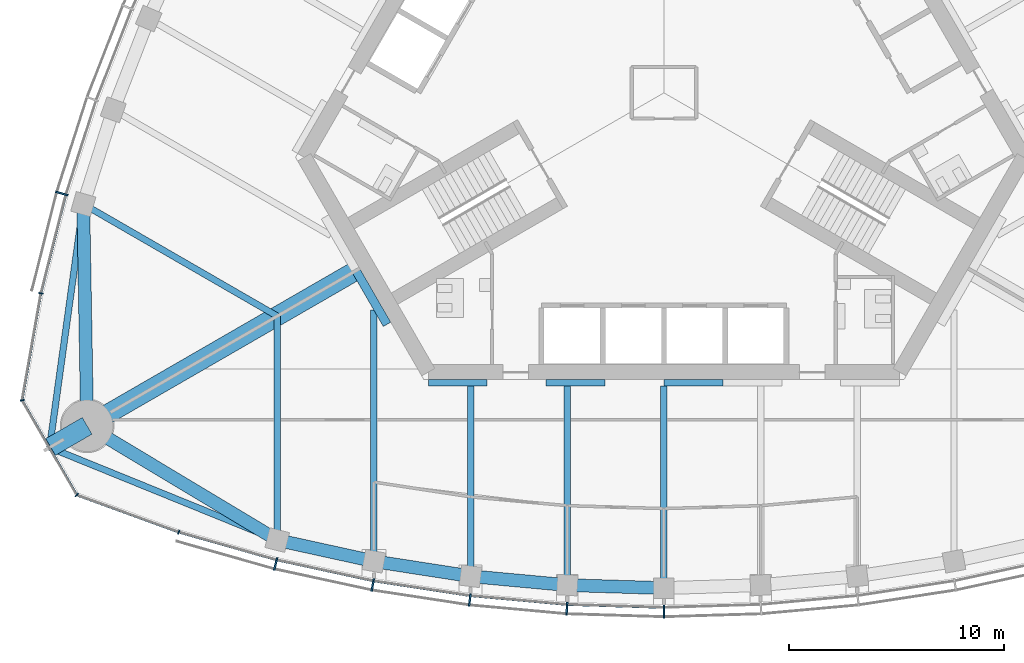
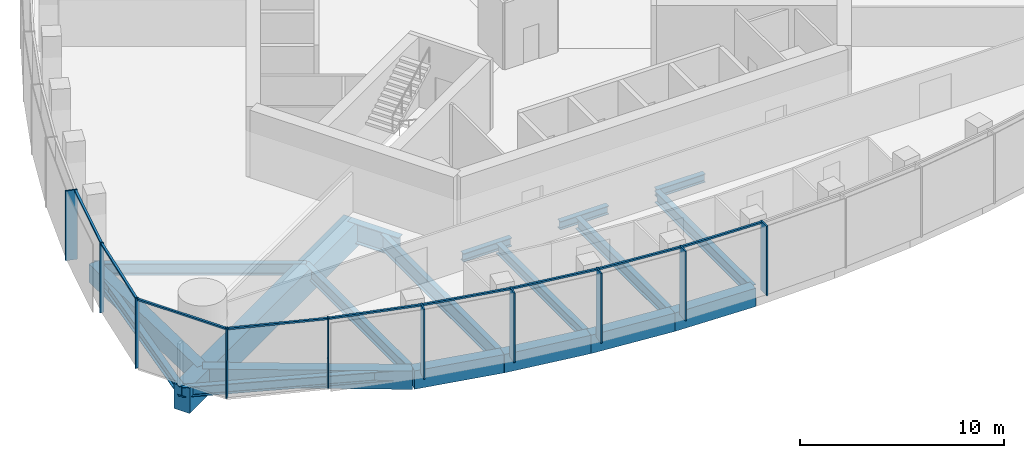
# One storey, part 2 of 16: 20 beams, 19 members, 3 elements without a shape of their own.
"""IFC4 building model written with IfcOpenShell, lengths in metres."""

from ifc_helpers import new_model, si_unit, direction, frame, origin, origin_2d, place, context, subcontext, project, spatial, rectangle, i_section, extrude, material, material_profile, profile_set, type_object, element, aggregate, save


model = new_model("IFC4")

# Units and contexts
model_context = context("Model", 3, precision=1e-05, world=origin(), true_north=direction((0.0, 1.0)))
body_context = subcontext(model_context, "Body", "Model", "MODEL_VIEW")
ifc_project = project(units=[si_unit("LENGTHUNIT", "METRE"), si_unit("AREAUNIT", "SQUARE_METRE"), si_unit("VOLUMEUNIT", "CUBIC_METRE"), si_unit("PLANEANGLEUNIT", "RADIAN"), si_unit("MASSUNIT", "GRAM", prefix="KILO")], contexts=[model_context])

# Site, building, storey
site_placement = place(None, origin())
site = spatial("IfcSite", under=ifc_project, at=site_placement, CompositionType="ELEMENT")
building_placement = place(site_placement, origin())
building = spatial("IfcBuilding", under=site, at=building_placement, Name="Trefoil Bronze Tower", CompositionType="ELEMENT")
storey_placement = place(building_placement, frame((0.0, 0.0, 293.10009765625)))
storey = spatial("IfcBuildingStorey", under=building, at=storey_placement, Name="L67", CompositionType="ELEMENT", Elevation=293.10009765625)

# Curtain wall, members
ifc_material_1 = material(Name="Tinted solar-control glass", Category="glass")
curtain_wall_type_1 = type_object("IfcCurtainWallType", Name="Bronze office curtain wall", PredefinedType="USERDEFINED", material=ifc_material_1)
curtain_wall_1_placement = place(storey_placement, origin())
curtain_wall_1 = element("IfcCurtainWall", 1, at=curtain_wall_1_placement, inside=storey, type_object=curtain_wall_type_1, Name="CW-A L67 F1", ObjectType="CURTAIN WALL", PredefinedType="USERDEFINED")
ifc_material_2 = material(Name="Bronze-finish aluminium", Category="aluminium")
ifc_material_profile_1 = material_profile(ifc_material_2, rectangle(XDim=0.60009765625, YDim=0.080078125, at=origin_2d()), Name="CW-A mullion")
ifc_profile_set_1 = profile_set([ifc_material_profile_1], Name="Bronze-finish aluminium")
member_type_1 = type_object("IfcMemberType", Name="Bronze office curtain wall mullion", PredefinedType="MULLION", material=ifc_profile_set_1)
member_1_placement = place(storey_placement, frame((-18.07275390625, -21.931884765625, 0.0), z_axis=(0.0, 0.0, 1.0), x_axis=(0.242394494031, 0.97017777199, 0.0)))
member_1 = element("IfcMember", 2, at=member_1_placement, type_object=member_type_1, Name="CW-A L67 F1 mullion 2", PredefinedType="MULLION", context=body_context, shape_type="SweptSolid", body=[
    extrude(rectangle(XDim=0.60009765625, YDim=0.080078125, at=origin_2d()), origin(), (0.0, 0.0, 1.0), 4.179931640625),
])
member_2_placement = place(storey_placement, frame((-13.554443359375, -22.911376953125, 0.0), z_axis=(0.0, 0.0, 1.0), x_axis=(0.181667218242, 0.983360067227, 0.0)))
member_2 = element("IfcMember", 3, at=member_2_placement, type_object=member_type_1, Name="CW-A L67 F1 mullion 3", PredefinedType="MULLION", context=body_context, shape_type="SweptSolid", body=[
    extrude(rectangle(XDim=0.60009765625, YDim=0.080078125, at=origin_2d()), origin(), (0.0, 0.0, 1.0), 4.179931640625),
])
member_3_placement = place(storey_placement, frame((-9.036376953125, -23.602783203125, 0.0), z_axis=(0.0, 0.0, 1.0), x_axis=(0.121109330868, 0.992639174109, 0.0)))
member_3 = element("IfcMember", 4, at=member_3_placement, type_object=member_type_1, Name="CW-A L67 F1 mullion 4", PredefinedType="MULLION", context=body_context, shape_type="SweptSolid", body=[
    extrude(rectangle(XDim=0.60009765625, YDim=0.080078125, at=origin_2d()), origin(), (0.0, 0.0, 1.0), 4.179931640625),
])
member_4_placement = place(storey_placement, frame((-4.51806640625, -24.014892578125, 0.0), z_axis=(0.0, 0.0, 1.0), x_axis=(0.060554040199, 0.998164920349, 0.0)))
member_4 = element("IfcMember", 5, at=member_4_placement, type_object=member_type_1, Name="CW-A L67 F1 mullion 5", PredefinedType="MULLION", context=body_context, shape_type="SweptSolid", body=[
    extrude(rectangle(XDim=0.60009765625, YDim=0.080078125, at=origin_2d()), origin(), (0.0, 0.0, 1.0), 4.179931640625),
])
member_5_placement = place(storey_placement, frame((0.0, -24.151611328125, 0.0), z_axis=(0.0, 0.0, 1.0), x_axis=(0.0, 1.0, 0.0)))
member_5 = element("IfcMember", 6, at=member_5_placement, type_object=member_type_1, Name="CW-A L67 F1 mullion 6", PredefinedType="MULLION", context=body_context, shape_type="SweptSolid", body=[
    extrude(rectangle(XDim=0.60009765625, YDim=0.080078125, at=origin_2d()), origin(), (0.0, 0.0, 1.0), 4.179931640625),
])

# Curtain wall, member
curtain_wall_2_placement = place(storey_placement, origin())
curtain_wall_2 = element("IfcCurtainWall", 7, at=curtain_wall_2_placement, inside=storey, type_object=curtain_wall_type_1, Name="CW-A L67 F3", ObjectType="CURTAIN WALL", PredefinedType="USERDEFINED")
member_6_placement = place(storey_placement, frame((-28.02978515625, -4.685546875, 0.0), z_axis=(0.0, 0.0, 1.0), x_axis=(0.961395843746, -0.275169096426, 0.0)))
member_6 = element("IfcMember", 8, at=member_6_placement, type_object=member_type_1, Name="CW-A L67 F3 mullion 10", PredefinedType="MULLION", context=body_context, shape_type="SweptSolid", body=[
    extrude(rectangle(XDim=0.60009765625, YDim=0.080078125, at=origin_2d()), origin(), (0.0, 0.0, 1.0), 4.179931640625),
])

# Member
ifc_material_3 = material(Name="Bronze-finish aluminium", Category="aluminium")
ifc_material_profile_2 = material_profile(ifc_material_3, rectangle(XDim=0.1201171875, YDim=0.10009765625, at=origin_2d()), Name="CW-A transom")
ifc_profile_set_2 = profile_set([ifc_material_profile_2], Name="Bronze-finish aluminium")
member_type_2 = type_object("IfcMemberType", Name="Bronze office curtain wall transom", PredefinedType="USERDEFINED", material=ifc_profile_set_2)
member_7_placement = place(storey_placement, frame((-22.537109375, -20.458740234375, 4.1298828125), z_axis=(0.962102611578, -0.272687668944, 0.0), x_axis=(0.272687668944, 0.962102611578, 0.0)))
member_7 = element("IfcMember", 9, at=member_7_placement, type_object=member_type_2, Name="CW-A L67 F1 transom 1", ObjectType="TRANSOM", PredefinedType="USERDEFINED", context=body_context, shape_type="SweptSolid", body=[
    extrude(rectangle(XDim=0.1201171875, YDim=0.10009765625, at=origin_2d()), origin(), (0.0, 0.0, 1.0), 4.6474609375),
])

member_8_placement = place(storey_placement, frame((-17.982177734375, -21.7470703125, 4.1298828125), z_axis=(0.977303780028, -0.211842681117, 0.0), x_axis=(0.211842681117, 0.977303780028, 0.0)))
member_8 = element("IfcMember", 10, at=member_8_placement, type_object=member_type_2, Name="CW-A L67 F1 transom 2", ObjectType="TRANSOM", PredefinedType="USERDEFINED", context=body_context, shape_type="SweptSolid", body=[
    extrude(rectangle(XDim=0.1201171875, YDim=0.10009765625, at=origin_2d()), origin(), (0.0, 0.0, 1.0), 4.524658203125),
])

member_9_placement = place(storey_placement, frame((-13.4755859375, -22.72119140625, 4.1298828125), z_axis=(0.988485016014, -0.151318779787, 0.0), x_axis=(0.151318779787, 0.988485016014, 0.0)))
member_9 = element("IfcMember", 11, at=member_9_placement, type_object=member_type_2, Name="CW-A L67 F1 transom 3", ObjectType="TRANSOM", PredefinedType="USERDEFINED", context=body_context, shape_type="SweptSolid", body=[
    extrude(rectangle(XDim=0.1201171875, YDim=0.10009765625, at=origin_2d()), origin(), (0.0, 0.0, 1.0), 4.472412109375),
])

member_10_placement = place(storey_placement, frame((-8.96923828125, -23.408203125, 4.1298828125), z_axis=(0.995868373079, -0.090808499059, 0.0), x_axis=(0.090808499059, 0.995868373079, 0.0)))
member_10 = element("IfcMember", 12, at=member_10_placement, type_object=member_type_2, Name="CW-A L67 F1 transom 4", ObjectType="TRANSOM", PredefinedType="USERDEFINED", context=body_context, shape_type="SweptSolid", body=[
    extrude(rectangle(XDim=0.1201171875, YDim=0.10009765625, at=origin_2d()), origin(), (0.0, 0.0, 1.0), 4.438720703125),
])

member_11_placement = place(storey_placement, frame((-4.463134765625, -23.81640625, 4.1298828125), z_axis=(0.99954057115, -0.030309183848, 0.0), x_axis=(0.030309183848, 0.99954057115, 0.0)))
member_11 = element("IfcMember", 13, at=member_11_placement, type_object=member_type_2, Name="CW-A L67 F1 transom 5", ObjectType="TRANSOM", PredefinedType="USERDEFINED", context=body_context, shape_type="SweptSolid", body=[
    extrude(rectangle(XDim=0.1201171875, YDim=0.10009765625, at=origin_2d()), origin(), (0.0, 0.0, 1.0), 4.422119140625),
])

aggregate(curtain_wall_1, [member_1, member_2, member_3, member_4, member_5, member_7, member_8, member_9, member_10, member_11])

member_12_placement = place(storey_placement, frame((-27.84814453125, -4.782470703125, 4.1298828125), z_axis=(-0.244908148095, -0.969546285123, 0.0), x_axis=(0.969546285123, -0.244908148095, 0.0)))
member_12 = element("IfcMember", 14, at=member_12_placement, type_object=member_type_2, Name="CW-A L67 F3 transom 10", ObjectType="TRANSOM", PredefinedType="USERDEFINED", context=body_context, shape_type="SweptSolid", body=[
    extrude(rectangle(XDim=0.1201171875, YDim=0.10009765625, at=origin_2d()), origin(), (0.0, 0.0, 1.0), 4.6474609375),
])

aggregate(curtain_wall_2, [member_6, member_12])

# Curtain wall, members
ifc_material_4 = material(Name="Tinted solar-control glass", Category="glass")
curtain_wall_type_2 = type_object("IfcCurtainWallType", Name="Bronze rounded corner curtain wall", PredefinedType="USERDEFINED", material=ifc_material_4)
curtain_wall_3_placement = place(storey_placement, origin())
curtain_wall_3 = element("IfcCurtainWall", 15, at=curtain_wall_3_placement, inside=storey, type_object=curtain_wall_type_2, Name="CW-B L67 K3", ObjectType="CURTAIN WALL", PredefinedType="USERDEFINED")
ifc_material_5 = material(Name="Bronze-finish aluminium", Category="aluminium")
ifc_material_profile_3 = material_profile(ifc_material_5, rectangle(XDim=0.199951171875, YDim=0.06005859375, at=origin_2d()), Name="CW-B mullion")
ifc_profile_set_3 = profile_set([ifc_material_profile_3], Name="Bronze-finish aluminium")
member_type_3 = type_object("IfcMemberType", Name="Bronze rounded corner curtain wall mullion", PredefinedType="MULLION", material=ifc_profile_set_3)
member_13_placement = place(storey_placement, frame((-28.99755859375, -9.334228515625, 0.0), z_axis=(0.0, 0.0, 1.0), x_axis=(0.984807753012, -0.173648177667, 0.0)))
member_13 = element("IfcMember", 16, at=member_13_placement, type_object=member_type_3, Name="CW-B L67 K3 mullion 1", PredefinedType="MULLION", context=body_context, shape_type="SweptSolid", body=[
    extrude(rectangle(XDim=0.199951171875, YDim=0.06005859375, at=origin_2d()), origin(), (0.0, 0.0, 1.0), 4.179931640625),
])
member_14_placement = place(storey_placement, frame((-29.86865234375, -14.30908203125, 0.0), z_axis=(0.0, 0.0, 1.0), x_axis=(0.984807753012, 0.173648177667, 0.0)))
member_14 = element("IfcMember", 17, at=member_14_placement, type_object=member_type_3, Name="CW-B L67 K3 mullion 2", PredefinedType="MULLION", context=body_context, shape_type="SweptSolid", body=[
    extrude(rectangle(XDim=0.199951171875, YDim=0.06005859375, at=origin_2d()), origin(), (0.0, 0.0, 1.0), 4.179931640625),
])
member_15_placement = place(storey_placement, frame((-27.326416015625, -18.712646484375, 0.0), z_axis=(0.0, 0.0, 1.0), x_axis=(0.642787609687, 0.766044443119, 0.0)))
member_15 = element("IfcMember", 18, at=member_15_placement, type_object=member_type_3, Name="CW-B L67 K3 mullion 3", PredefinedType="MULLION", context=body_context, shape_type="SweptSolid", body=[
    extrude(rectangle(XDim=0.199951171875, YDim=0.06005859375, at=origin_2d()), origin(), (0.0, 0.0, 1.0), 4.179931640625),
])
member_16_placement = place(storey_placement, frame((-22.58251953125, -20.445556640625, 0.0), z_axis=(0.0, 0.0, 1.0), x_axis=(0.342020143326, 0.939692620786, 0.0)))
member_16 = element("IfcMember", 19, at=member_16_placement, type_object=member_type_3, Name="CW-B L67 K3 mullion 4", PredefinedType="MULLION", context=body_context, shape_type="SweptSolid", body=[
    extrude(rectangle(XDim=0.199951171875, YDim=0.06005859375, at=origin_2d()), origin(), (0.0, 0.0, 1.0), 4.179931640625),
])
ifc_material_6 = material(Name="Bronze-finish aluminium", Category="aluminium")
ifc_material_profile_4 = material_profile(ifc_material_6, rectangle(XDim=0.1201171875, YDim=0.10009765625, at=origin_2d()), Name="CW-B transom")
ifc_profile_set_4 = profile_set([ifc_material_profile_4], Name="Bronze-finish aluminium")
member_type_4 = type_object("IfcMemberType", Name="Bronze rounded corner curtain wall transom", PredefinedType="USERDEFINED", material=ifc_profile_set_4)
member_17_placement = place(storey_placement, frame((-29.0029296875, -9.36376953125, 4.1298828125), z_axis=(-0.173633591509, -0.984810324834, 0.0), x_axis=(0.984810324834, -0.173633591509, 0.0)))
member_17 = element("IfcMember", 20, at=member_17_placement, type_object=member_type_4, Name="CW-B L67 K3 transom 1", ObjectType="TRANSOM", PredefinedType="USERDEFINED", context=body_context, shape_type="SweptSolid", body=[
    extrude(rectangle(XDim=0.1201171875, YDim=0.10009765625, at=origin_2d()), origin(), (0.0, 0.0, 1.0), 4.956298828125),
])
member_18_placement = place(storey_placement, frame((-29.841796875, -14.36767578125, 4.1298828125), z_axis=(0.499985403706, -0.866033830794, 0.0), x_axis=(0.866033830794, 0.499985403706, 0.0)))
member_18 = element("IfcMember", 21, at=member_18_placement, type_object=member_type_4, Name="CW-B L67 K3 transom 2", ObjectType="TRANSOM", PredefinedType="USERDEFINED", context=body_context, shape_type="SweptSolid", body=[
    extrude(rectangle(XDim=0.1201171875, YDim=0.10009765625, at=origin_2d()), origin(), (0.0, 0.0, 1.0), 4.956298828125),
])
member_19_placement = place(storey_placement, frame((-27.26806640625, -18.740234375, 4.1298828125), z_axis=(0.93969990549, -0.342000128103, 0.0), x_axis=(0.342000128103, 0.93969990549, 0.0)))
member_19 = element("IfcMember", 22, at=member_19_placement, type_object=member_type_4, Name="CW-B L67 K3 transom 3", ObjectType="TRANSOM", PredefinedType="USERDEFINED", context=body_context, shape_type="SweptSolid", body=[
    extrude(rectangle(XDim=0.1201171875, YDim=0.10009765625, at=origin_2d()), origin(), (0.0, 0.0, 1.0), 4.956298828125),
])
aggregate(curtain_wall_3, [member_13, member_14, member_15, member_16, member_17, member_18, member_19])

# Beams
ifc_material_7 = material(Name="Steel C355", Category="steel")
ifc_material_profile_5 = material_profile(ifc_material_7, i_section(OverallWidth=0.300048828125, OverallDepth=0.5, WebThickness=0.014404296875, FlangeThickness=0.028076171875, FilletRadius=0.027099609375, at=origin_2d()), Name="HEB 500")
ifc_profile_set_5 = profile_set([ifc_material_profile_5], Name="Steel C355")
beam_type_1 = type_object("IfcBeamType", Name="Core seat beam HEB 500", PredefinedType="BEAM", material=ifc_profile_set_5)
for number, where, z_axis, x_axis, name in (
    (23, (-10.9697265625, -13.5, -0.4501953125), (1.0, 0.0, 0.0), (0.0, 1.0, 0.0), "Core seat beam F1/-2 L67"),
    (24, (-5.48486328125, -13.5, -0.4501953125), (1.0, 0.0, 0.0), (0.0, 1.0, 0.0), "Core seat beam F1/-1 L67"),
    (25, (0.0, -13.5, -0.4501953125), (1.0, 0.0, 0.0), (0.0, 1.0, 0.0), "Core seat beam F1/+0 L67"),
):
    element("IfcBeam", number, at=place(storey_placement, frame(where, z_axis=z_axis, x_axis=x_axis)), inside=storey, type_object=beam_type_1, Name=name, PredefinedType="BEAM", context=body_context, shape_type="SweptSolid", body=[
        extrude(i_section(OverallWidth=0.300048828125, OverallDepth=0.5, WebThickness=0.014404296875, FlangeThickness=0.028076171875, FilletRadius=0.027099609375, at=origin_2d()), origin(), (0.0, 0.0, 1.0), 2.742431640625),
    ])
ifc_material_8 = material(Name="Steel C355", Category="steel")
ifc_material_profile_6 = material_profile(ifc_material_8, i_section(OverallWidth=0.39990234375, OverallDepth=1.199951171875, WebThickness=0.02001953125, FlangeThickness=0.0400390625, FilletRadius=0.010009765625, at=origin_2d()), Name="WPG 1200")
ifc_profile_set_6 = profile_set([ifc_material_profile_6], Name="Steel C355")
beam_type_2 = type_object("IfcBeamType", Name="Core seat beam WPG 1200", PredefinedType="BEAM", material=ifc_profile_set_6)
beam_1_placement = place(storey_placement, frame((-14.332763671875, -8.27490234375, -0.800048828125), z_axis=(0.499995765644, -0.866027848477, 0.0), x_axis=(0.866027848477, 0.499995765644, 0.0)))
element("IfcBeam", 26, at=beam_1_placement, inside=storey, type_object=beam_type_2, Name="Core seat beam F1/-3 L67", PredefinedType="BEAM", context=body_context, shape_type="SweptSolid", body=[
    extrude(i_section(OverallWidth=0.39990234375, OverallDepth=1.199951171875, WebThickness=0.02001953125, FlangeThickness=0.0400390625, FilletRadius=0.010009765625, at=origin_2d()), origin(), (0.0, 0.0, 1.0), 2.88671875),
])
ifc_material_9 = material(Name="Concrete B80", Category="concrete")
ifc_material_profile_7 = material_profile(ifc_material_9, rectangle(XDim=0.89990234375, YDim=1.5, at=origin_2d()), Name="RC 900x1500")
ifc_profile_set_7 = profile_set([ifc_material_profile_7], Name="Concrete B80")
beam_type_3 = type_object("IfcBeamType", Name="Corner cantilever RC 900x1500", PredefinedType="BEAM", material=ifc_profile_set_7)
beam_2_placement = place(storey_placement, frame((-26.8466796875, -15.5, -0.9501953125), z_axis=(-0.866010470582, -0.500025864173, 0.0), x_axis=(0.500025864173, -0.866010470582, 0.0)))
element("IfcBeam", 27, at=beam_2_placement, inside=storey, type_object=beam_type_3, Name="Corner cantilever K3 L67", PredefinedType="BEAM", context=body_context, shape_type="SweptSolid", body=[
    extrude(rectangle(XDim=0.89990234375, YDim=1.5, at=origin_2d()), origin(), (0.0, 0.0, 1.0), 2.02001953125),
])
ifc_material_10 = material(Name="Steel C355", Category="steel")
ifc_material_profile_8 = material_profile(ifc_material_10, i_section(OverallWidth=0.300048828125, OverallDepth=0.60009765625, WebThickness=0.015380859375, FlangeThickness=0.030029296875, FilletRadius=0.027099609375, at=origin_2d()), Name="HEB 600")
ifc_profile_set_8 = profile_set([ifc_material_profile_8], Name="Steel C355")
beam_type_4 = type_object("IfcBeamType", Name="Corner edge beam HEB 600", PredefinedType="BEAM", material=ifc_profile_set_8)
beam_3_placement = place(storey_placement, frame((-18.0, -20.816162109375, -0.5), z_axis=(-0.926419351914, 0.376493272714, 0.0), x_axis=(-0.376493272714, -0.926419351914, 0.0)))
element("IfcBeam", 28, at=beam_3_placement, inside=storey, type_object=beam_type_4, Name="Corner edge beam F1B L67", PredefinedType="BEAM", context=body_context, shape_type="SweptSolid", body=[
    extrude(i_section(OverallWidth=0.300048828125, OverallDepth=0.60009765625, WebThickness=0.015380859375, FlangeThickness=0.030029296875, FilletRadius=0.027099609375, at=origin_2d()), origin(), (0.0, 0.0, 1.0), 11.4375),
])
beam_4_placement = place(storey_placement, frame((-27.02734375, -5.180419921875, -0.5), z_axis=(-0.137143714313, -0.990551160529, 0.0), x_axis=(0.990551160529, -0.137143714313, 0.0)))
element("IfcBeam", 29, at=beam_4_placement, inside=storey, type_object=beam_type_4, Name="Corner edge beam F3A L67", PredefinedType="BEAM", context=body_context, shape_type="SweptSolid", body=[
    extrude(i_section(OverallWidth=0.300048828125, OverallDepth=0.60009765625, WebThickness=0.015380859375, FlangeThickness=0.030029296875, FilletRadius=0.027099609375, at=origin_2d()), origin(), (0.0, 0.0, 1.0), 11.437744140625),
])
ifc_material_11 = material(Name="Concrete B80", Category="concrete")
ifc_material_profile_9 = material_profile(ifc_material_11, rectangle(XDim=0.89990234375, YDim=1.5, at=origin_2d()), Name="RC 900x1500")
ifc_profile_set_9 = profile_set([ifc_material_profile_9], Name="Concrete B80")
beam_type_5 = type_object("IfcBeamType", Name="Corner girder RC 900x1500", PredefinedType="BEAM", material=ifc_profile_set_9)
beam_5_placement = place(storey_placement, frame((-14.159423828125, -8.175048828125, -0.9501953125), z_axis=(-0.866026568746, -0.499997982221, 0.0), x_axis=(0.499997982221, -0.866026568746, 0.0)))
element("IfcBeam", 30, at=beam_5_placement, inside=storey, type_object=beam_type_5, Name="Corner girder K3 L67", PredefinedType="BEAM", context=body_context, shape_type="SweptSolid", body=[
    extrude(rectangle(XDim=0.89990234375, YDim=1.5, at=origin_2d()), origin(), (0.0, 0.0, 1.0), 14.64990234375),
])
ifc_material_12 = material(Name="Concrete B80", Category="concrete")
ifc_material_profile_10 = material_profile(ifc_material_12, rectangle(XDim=0.60009765625, YDim=1.10009765625, at=origin_2d()), Name="RC 600x1100")
ifc_profile_set_10 = profile_set([ifc_material_profile_10], Name="Concrete B80")
beam_type_6 = type_object("IfcBeamType", Name="End spandrel beam RC 600x1100", PredefinedType="SPANDREL", material=ifc_profile_set_10)
for number, where, z_axis, x_axis, name in (
    (31, (-26.8466796875, -15.5, -0.75), (0.857144173035, -0.515076563855, 0.0), (0.515076563855, 0.857144173035, 0.0), "Spandrel F1.1 L67"),
    (32, (-27.02734375, -5.180419921875, -0.75), (0.017504237714, -0.999846789094, 0.0), (0.999846789094, 0.017504237714, 0.0), "Spandrel F3.10 L67"),
):
    element("IfcBeam", number, at=place(storey_placement, frame(where, z_axis=z_axis, x_axis=x_axis)), inside=storey, type_object=beam_type_6, Name=name, PredefinedType="SPANDREL", context=body_context, shape_type="SweptSolid", body=[
        extrude(rectangle(XDim=0.60009765625, YDim=1.10009765625, at=origin_2d()), origin(), (0.0, 0.0, 1.0), 10.321044921875),
    ])
ifc_material_13 = material(Name="Steel C355", Category="steel")
ifc_material_profile_11 = material_profile(ifc_material_13, i_section(OverallWidth=0.300048828125, OverallDepth=0.60009765625, WebThickness=0.015380859375, FlangeThickness=0.030029296875, FilletRadius=0.027099609375, at=origin_2d()), Name="HEB 600")
ifc_profile_set_11 = profile_set([ifc_material_profile_11], Name="Steel C355")
beam_type_7 = type_object("IfcBeamType", Name="Floor beam HEB 600", PredefinedType="BEAM", material=ifc_profile_set_11)
beam_6_placement = place(storey_placement, frame((-9.0, -22.499267578125, -0.5), z_axis=(0.0, 1.0, 0.0), x_axis=(-1.0, 0.0, 0.0)))
element("IfcBeam", 33, at=beam_6_placement, inside=storey, type_object=beam_type_7, Name="Floor beam F1/-2 L67", PredefinedType="BEAM", context=body_context, shape_type="SweptSolid", body=[
    extrude(i_section(OverallWidth=0.300048828125, OverallDepth=0.60009765625, WebThickness=0.015380859375, FlangeThickness=0.030029296875, FilletRadius=0.027099609375, at=origin_2d()), origin(), (0.0, 0.0, 1.0), 8.849365234375),
])
ifc_material_14 = material(Name="Steel C355", Category="steel")
ifc_material_profile_12 = material_profile(ifc_material_14, i_section(OverallWidth=0.300048828125, OverallDepth=0.699951171875, WebThickness=0.01708984375, FlangeThickness=0.031982421875, FilletRadius=0.027099609375, at=origin_2d()), Name="HEB 700")
ifc_profile_set_12 = profile_set([ifc_material_profile_12], Name="Steel C355")
beam_type_8 = type_object("IfcBeamType", Name="Floor beam HEB 700", PredefinedType="BEAM", material=ifc_profile_set_12)
beam_7_placement = place(storey_placement, frame((-18.0, -20.816162109375, -0.550048828125), z_axis=(0.0, 1.0, 0.0), x_axis=(-1.0, 0.0, 0.0)))
element("IfcBeam", 34, at=beam_7_placement, inside=storey, type_object=beam_type_8, Name="Floor beam F1/-4 L67", PredefinedType="BEAM", context=body_context, shape_type="SweptSolid", body=[
    extrude(i_section(OverallWidth=0.300048828125, OverallDepth=0.699951171875, WebThickness=0.01708984375, FlangeThickness=0.031982421875, FilletRadius=0.027099609375, at=origin_2d()), origin(), (0.0, 0.0, 1.0), 10.423828125),
])
beam_8_placement = place(storey_placement, frame((-4.5, -22.913818359375, -0.550048828125), z_axis=(0.0, 1.0, 0.0), x_axis=(-1.0, 0.0, 0.0)))
element("IfcBeam", 35, at=beam_8_placement, inside=storey, type_object=beam_type_8, Name="Floor beam F1/-1 L67", PredefinedType="BEAM", context=body_context, shape_type="SweptSolid", body=[
    extrude(i_section(OverallWidth=0.300048828125, OverallDepth=0.699951171875, WebThickness=0.01708984375, FlangeThickness=0.031982421875, FilletRadius=0.027099609375, at=origin_2d()), origin(), (0.0, 0.0, 1.0), 9.263916015625),
])
beam_9_placement = place(storey_placement, frame((0.0, -23.051513671875, -0.550048828125), z_axis=(0.0, 1.0, 0.0), x_axis=(-1.0, 0.0, 0.0)))
element("IfcBeam", 36, at=beam_9_placement, inside=storey, type_object=beam_type_8, Name="Floor beam F1/+0 L67", PredefinedType="BEAM", context=body_context, shape_type="SweptSolid", body=[
    extrude(i_section(OverallWidth=0.300048828125, OverallDepth=0.699951171875, WebThickness=0.01708984375, FlangeThickness=0.031982421875, FilletRadius=0.027099609375, at=origin_2d()), origin(), (0.0, 0.0, 1.0), 9.401611328125),
])
beam_10_placement = place(storey_placement, frame((-27.02734375, -5.180419921875, -0.550048828125), z_axis=(0.866026453994, -0.499998180979, 0.0), x_axis=(0.499998180979, 0.866026453994, 0.0)))
element("IfcBeam", 37, at=beam_10_placement, inside=storey, type_object=beam_type_8, Name="Floor beam F3/+4 L67", PredefinedType="BEAM", context=body_context, shape_type="SweptSolid", body=[
    extrude(i_section(OverallWidth=0.300048828125, OverallDepth=0.699951171875, WebThickness=0.01708984375, FlangeThickness=0.031982421875, FilletRadius=0.027099609375, at=origin_2d()), origin(), (0.0, 0.0, 1.0), 10.423828125),
])
ifc_material_15 = material(Name="Steel C355", Category="steel")
ifc_material_profile_13 = material_profile(ifc_material_15, i_section(OverallWidth=0.300048828125, OverallDepth=0.89990234375, WebThickness=0.0185546875, FlangeThickness=0.034912109375, FilletRadius=0.030029296875, at=origin_2d()), Name="HEB 900")
ifc_profile_set_13 = profile_set([ifc_material_profile_13], Name="Steel C355")
beam_type_9 = type_object("IfcBeamType", Name="Floor beam HEB 900", PredefinedType="BEAM", material=ifc_profile_set_13)
beam_11_placement = place(storey_placement, frame((-13.5, -21.802734375, -0.650146484375), z_axis=(0.0, 1.0, 0.0), x_axis=(-1.0, 0.0, 0.0)))
element("IfcBeam", 38, at=beam_11_placement, inside=storey, type_object=beam_type_9, Name="Floor beam F1/-3 L67", PredefinedType="BEAM", context=body_context, shape_type="SweptSolid", body=[
    extrude(i_section(OverallWidth=0.300048828125, OverallDepth=0.89990234375, WebThickness=0.0185546875, FlangeThickness=0.034912109375, FilletRadius=0.030029296875, at=origin_2d()), origin(), (0.0, 0.0, 1.0), 11.685302734375),
])
ifc_material_16 = material(Name="Concrete B80", Category="concrete")
ifc_material_profile_14 = material_profile(ifc_material_16, rectangle(XDim=0.60009765625, YDim=1.10009765625, at=origin_2d()), Name="RC 600x1100")
ifc_profile_set_14 = profile_set([ifc_material_profile_14], Name="Concrete B80")
beam_type_10 = type_object("IfcBeamType", Name="Spandrel beam RC 600x1100", PredefinedType="SPANDREL", material=ifc_profile_set_14)
beam_12_placement = place(storey_placement, frame((-18.0, -20.816162109375, -0.75), z_axis=(0.976800342355, -0.214152028182, 0.0), x_axis=(0.214152028182, 0.976800342355, 0.0)))
element("IfcBeam", 39, at=beam_12_placement, inside=storey, type_object=beam_type_10, Name="Spandrel F1.2 L67", PredefinedType="SPANDREL", context=body_context, shape_type="SweptSolid", body=[
    extrude(rectangle(XDim=0.60009765625, YDim=1.10009765625, at=origin_2d()), origin(), (0.0, 0.0, 1.0), 4.60693359375),
])
beam_13_placement = place(storey_placement, frame((-13.5, -21.802734375, -0.75), z_axis=(0.988231820946, -0.152963616816, 0.0), x_axis=(0.152963616816, 0.988231820946, 0.0)))
element("IfcBeam", 40, at=beam_13_placement, inside=storey, type_object=beam_type_10, Name="Spandrel F1.3 L67", PredefinedType="SPANDREL", context=body_context, shape_type="SweptSolid", body=[
    extrude(rectangle(XDim=0.60009765625, YDim=1.10009765625, at=origin_2d()), origin(), (0.0, 0.0, 1.0), 4.553466796875),
])
beam_14_placement = place(storey_placement, frame((-9.0, -22.499267578125, -0.75), z_axis=(0.995783550481, -0.091733966402, 0.0), x_axis=(0.091733966402, 0.995783550481, 0.0)))
element("IfcBeam", 41, at=beam_14_placement, inside=storey, type_object=beam_type_10, Name="Spandrel F1.4 L67", PredefinedType="SPANDREL", context=body_context, shape_type="SweptSolid", body=[
    extrude(rectangle(XDim=0.60009765625, YDim=1.10009765625, at=origin_2d()), origin(), (0.0, 0.0, 1.0), 4.51904296875),
])
beam_15_placement = place(storey_placement, frame((-4.5, -22.913818359375, -0.75), z_axis=(0.999532180362, -0.03058464354, 0.0), x_axis=(0.03058464354, 0.999532180362, 0.0)))
element("IfcBeam", 42, at=beam_15_placement, inside=storey, type_object=beam_type_10, Name="Spandrel F1.5 L67", PredefinedType="SPANDREL", context=body_context, shape_type="SweptSolid", body=[
    extrude(rectangle(XDim=0.60009765625, YDim=1.10009765625, at=origin_2d()), origin(), (0.0, 0.0, 1.0), 4.502197265625),
])

save(model, "model.ifc")
